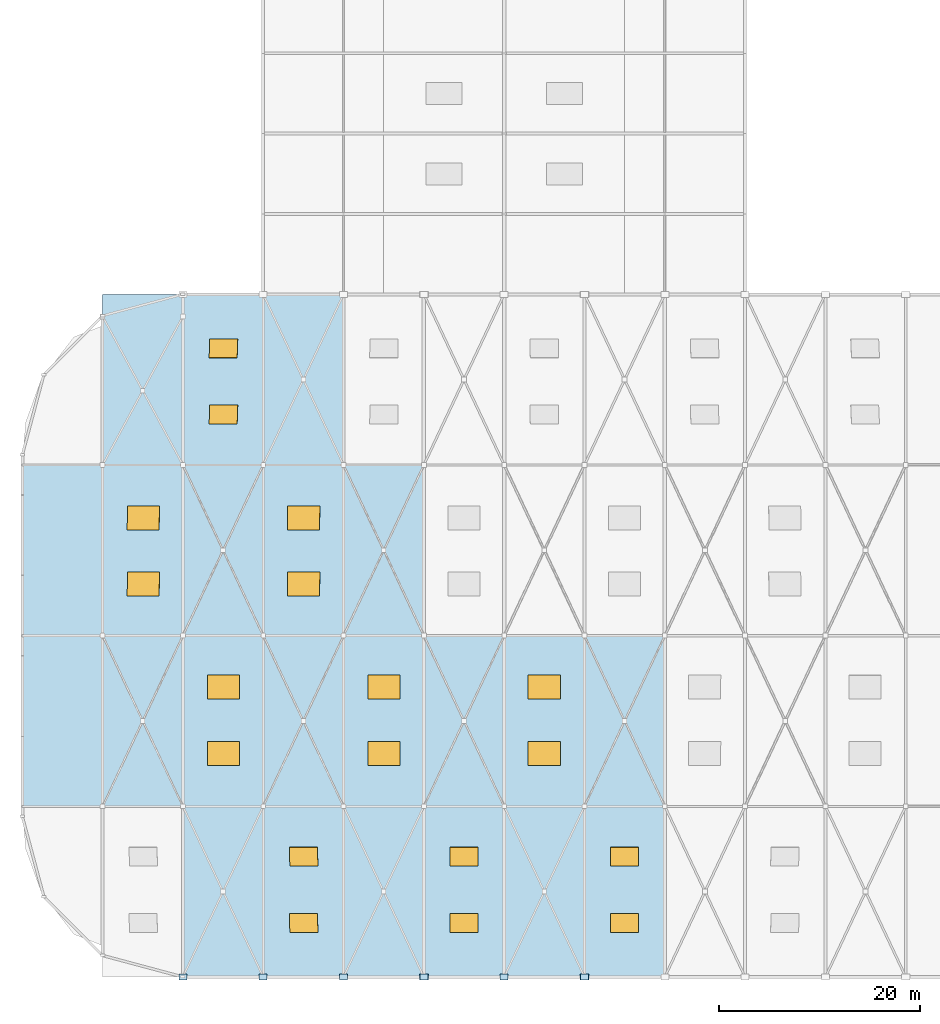
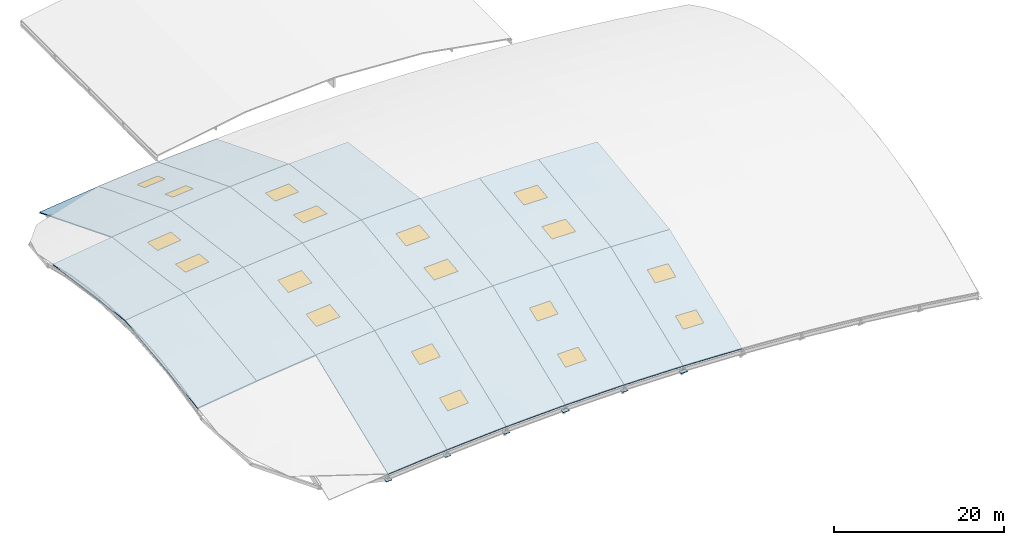
# One storey, part 5 of 11: 22 slabs, 18 windows, 8 plates, 18 openings.
"""IFC4 building model written with IfcOpenShell, lengths in metres."""

from ifc_helpers import new_model, si_unit, direction, frame, origin, origin_2d, place, context, subcontext, project, spatial, polyline, rectangle, outline, extrude, material, layer, layer_set, type_object, element, fill, save


model = new_model("IFC4")

# Units and contexts
model_context = context("Model", 3, precision=1e-05, world=origin(), true_north=direction((0.0, 1.0)))
body_context = subcontext(model_context, "Body", "Model", "MODEL_VIEW")
ifc_project = project(units=[si_unit("LENGTHUNIT", "METRE"), si_unit("AREAUNIT", "SQUARE_METRE"), si_unit("VOLUMEUNIT", "CUBIC_METRE"), si_unit("PLANEANGLEUNIT", "RADIAN"), si_unit("MASSUNIT", "GRAM", prefix="KILO")], contexts=[model_context])

# Site, building, storey
site_placement = place(None, origin())
site = spatial("IfcSite", under=ifc_project, at=site_placement, CompositionType="ELEMENT")
building_placement = place(site_placement, origin())
building = spatial("IfcBuilding", under=site, at=building_placement, Name="Drelvana Railside Aquatics Centre", CompositionType="ELEMENT")
storey_placement = place(building_placement, frame((0.0, 0.0, 22.800048828125)))
storey = spatial("IfcBuildingStorey", under=building, at=storey_placement, Name="Roof", CompositionType="ELEMENT", Elevation=22.800048828125)

# Slabs
ifc_material_1 = material(Name="Glulam timber GL28h", Category="wood")
ifc_layer_1 = layer(ifc_material_1, 0.14990234375, Name="Glulam timber GL28h")
ifc_layer_set_1 = layer_set([ifc_layer_1], Name="Glulam timber GL28h")
slab_type_1 = type_object("IfcSlabType", Name="SL-RF-150", PredefinedType="ROOF", material=ifc_layer_set_1)
slab_1_placement = place(storey_placement, frame((8.0, 67.0, 0.050048828125), z_axis=(-0.103981261976, 0.367032514903, 0.924378185681), x_axis=(0.993732663715, 0.0, 0.111782794142)))
element("IfcSlab", 1, at=slab_1_placement, inside=storey, type_object=slab_type_1, Name="Gridshell planar roof panel 2.4", PredefinedType="ROOF", context=body_context, shape_type="SweptSolid", body=[
    extrude(outline(polyline([(0.0, 0.0), (8.050454908158095, 5.551115123125783e-17), (7.295921047697992, 18.27548025780497), (-0.7545338604601017, 18.27548025780497), (0.0, 0.0)])), origin(), (0.0, 0.0, -1.0), 0.14990234375),
])
slab_2_placement = place(storey_placement, frame((16.0, 16.0, -5.800048828125), z_axis=(-0.081050715906, -0.367818821618, 0.926358513705), x_axis=(0.996194245461, 0.0, 0.087160916191)))
element("IfcSlab", 2, at=slab_2_placement, inside=storey, type_object=slab_type_1, Name="Gridshell planar roof panel 3.1", PredefinedType="ROOF", context=body_context, shape_type="SweptSolid", body=[
    extrude(outline(polyline([(0.0, 0.0), (8.030562349114113, 0.0), (8.618898533401065, 18.28158528504185), (0.5883361842869509, 18.28158528504185), (0.0, 0.0)])), origin(), (0.0, 0.0, -1.0), 0.14990234375),
])

# Slab, openings, windows
slab_3_placement = place(storey_placement, frame((16.0, 67.0, 0.949951171875), z_axis=(-0.081050715906, 0.367818821618, 0.926358513705), x_axis=(0.996194245461, 0.0, 0.087160916191)))
slab_3 = element("IfcSlab", 3, at=slab_3_placement, inside=storey, type_object=slab_type_1, Name="Gridshell planar roof panel 3.4", PredefinedType="ROOF", context=body_context, shape_type="SweptSolid", body=[
    extrude(outline(polyline([(0.0, 0.0), (8.030562349114113, 0.0), (7.442226164827163, 18.28158528504185), (-0.5883361842869509, 18.28158528504185), (0.0, 0.0)])), origin(), (0.0, 0.0, -1.0), 0.14990234375),
])
opening_1_placement = place(slab_3_placement, frame((3.879150390625, 5.40771484375, 0.010009765625)))
opening_1 = element("IfcOpeningElement", 4, at=opening_1_placement, cuts=slab_3, Name="Opening SK-03", PredefinedType="OPENING", context=body_context, shape_type="SweptSolid", body=[
    extrude(rectangle(XDim=2.800048828125, YDim=2.0, at=origin_2d()), origin(), (0.0, 0.0, -1.0), 0.169921875),
])
opening_2_placement = place(slab_3_placement, frame((3.650634765625, 12.50537109375, 0.010009765625)))
opening_2 = element("IfcOpeningElement", 5, at=opening_2_placement, cuts=slab_3, Name="Opening SK-03", PredefinedType="OPENING", context=body_context, shape_type="SweptSolid", body=[
    extrude(rectangle(XDim=2.800048828125, YDim=2.0, at=origin_2d()), origin(), (0.0, 0.0, -1.0), 0.169921875),
])
ifc_material_2 = material(Name="Laminated solar-control safety glass", Category="glass")
window_type_1 = type_object("IfcWindowType", Name="WIN-SK-03", PartitioningType="SINGLE_PANEL", PredefinedType="SKYLIGHT", material=ifc_material_2)
window_1_placement = place(slab_3_placement, frame((3.879150390625, 5.40771484375, 0.0)))
window_1 = element("IfcWindow", 6, at=window_1_placement, inside=storey, type_object=window_type_1, Name="Gridshell rooflight SK-GS-07", OverallHeight=2.0, OverallWidth=2.800048828125, PartitioningType="SINGLE_PANEL", PredefinedType="SKYLIGHT", context=body_context, shape_type="SweptSolid", body=[
    extrude(rectangle(XDim=2.800048828125, YDim=2.0, at=origin_2d()), origin(), (0.0, 0.0, -1.0), 0.06005859375),
])
fill(opening_1, window_1)
window_2_placement = place(slab_3_placement, frame((3.650634765625, 12.50537109375, 0.0)))
window_2 = element("IfcWindow", 7, at=window_2_placement, inside=storey, type_object=window_type_1, Name="Gridshell rooflight SK-GS-08", OverallHeight=2.0, OverallWidth=2.800048828125, PartitioningType="SINGLE_PANEL", PredefinedType="SKYLIGHT", context=body_context, shape_type="SweptSolid", body=[
    extrude(rectangle(XDim=2.800048828125, YDim=2.0, at=origin_2d()), origin(), (0.0, 0.0, -1.0), 0.06005859375),
])
fill(opening_2, window_2)

slab_4_placement = place(storey_placement, frame((24.0, 16.0, -5.10009765625), z_axis=(-0.057990763549, -0.368411909608, 0.92785221679), x_axis=(0.998052578483, 0.0, 0.062378286155)))
slab_4 = element("IfcSlab", 8, at=slab_4_placement, inside=storey, type_object=slab_type_1, Name="Gridshell planar roof panel 4.1", PredefinedType="ROOF", context=body_context, shape_type="SweptSolid", body=[
    extrude(outline(polyline([(0.0, 0.0), (8.0156097709407, 0.0), (8.436663202488168, 18.2862028318561), (0.42105343154746866, 18.2862028318561), (0.0, 0.0)])), origin(), (0.0, 0.0, -1.0), 0.14990234375),
])
opening_3_placement = place(slab_4_placement, frame((4.16796875, 5.7783203125, 0.010009765625)))
opening_3 = element("IfcOpeningElement", 9, at=opening_3_placement, cuts=slab_4, Name="Opening SK-03", PredefinedType="OPENING", context=body_context, shape_type="SweptSolid", body=[
    extrude(rectangle(XDim=2.800048828125, YDim=2.0, at=origin_2d()), origin(), (0.0, 0.0, -1.0), 0.169921875),
])
opening_4_placement = place(slab_4_placement, frame((4.33154296875, 12.877685546875, 0.010009765625)))
opening_4 = element("IfcOpeningElement", 10, at=opening_4_placement, cuts=slab_4, Name="Opening SK-03", PredefinedType="OPENING", context=body_context, shape_type="SweptSolid", body=[
    extrude(rectangle(XDim=2.800048828125, YDim=2.0, at=origin_2d()), origin(), (0.0, 0.0, -1.0), 0.169921875),
])
window_3_placement = place(slab_4_placement, frame((4.16796875, 5.7783203125, 0.0)))
window_3 = element("IfcWindow", 11, at=window_3_placement, inside=storey, type_object=window_type_1, Name="Gridshell rooflight SK-GS-09", OverallHeight=2.0, OverallWidth=2.800048828125, PartitioningType="SINGLE_PANEL", PredefinedType="SKYLIGHT", context=body_context, shape_type="SweptSolid", body=[
    extrude(rectangle(XDim=2.800048828125, YDim=2.0, at=origin_2d()), origin(), (0.0, 0.0, -1.0), 0.06005859375),
])
fill(opening_3, window_3)
window_4_placement = place(slab_4_placement, frame((4.33154296875, 12.877685546875, 0.0)))
window_4 = element("IfcWindow", 12, at=window_4_placement, inside=storey, type_object=window_type_1, Name="Gridshell rooflight SK-GS-10", OverallHeight=2.0, OverallWidth=2.800048828125, PartitioningType="SINGLE_PANEL", PredefinedType="SKYLIGHT", context=body_context, shape_type="SweptSolid", body=[
    extrude(rectangle(XDim=2.800048828125, YDim=2.0, at=origin_2d()), origin(), (0.0, 0.0, -1.0), 0.06005859375),
])
fill(opening_4, window_4)

# Slabs
slab_5_placement = place(storey_placement, frame((24.0, 67.0, 1.64990234375), z_axis=(-0.057990763549, 0.368411909608, 0.92785221679), x_axis=(0.998052578483, 0.0, 0.062378286155)))
element("IfcSlab", 13, at=slab_5_placement, inside=storey, type_object=slab_type_1, Name="Gridshell planar roof panel 4.4", PredefinedType="ROOF", context=body_context, shape_type="SweptSolid", body=[
    extrude(outline(polyline([(0.0, 0.0), (8.0156097709407, 0.0), (7.594556339393231, 18.286202831856105), (-0.42105343154746866, 18.2862028318561), (0.0, 0.0)])), origin(), (0.0, 0.0, -1.0), 0.14990234375),
])
slab_6_placement = place(storey_placement, frame((32.0, 16.0, -4.60009765625), z_axis=(-0.034837624674, -0.368808939643, 0.928852144287), x_axis=(0.999297387291, 0.0, 0.037479751251)))
element("IfcSlab", 14, at=slab_6_placement, inside=storey, type_object=slab_type_1, Name="Gridshell planar roof panel 5.1", PredefinedType="ROOF", context=body_context, shape_type="SweptSolid", body=[
    extrude(outline(polyline([(0.0, 0.0), (8.005624853767456, 0.0), (8.258613174709152, 18.289300066144335), (0.2529883209416974, 18.289300066144335), (0.0, 0.0)])), origin(), (0.0, 0.0, -1.0), 0.14990234375),
])

# Slab, openings, windows
slab_7_placement = place(storey_placement, frame((40.0, 16.0, -4.300048828125), z_axis=(-0.011628263083, -0.369007997397, 0.929353474925), x_axis=(0.999921731527, 0.0, 0.01251122772)))
slab_7 = element("IfcSlab", 15, at=slab_7_placement, inside=storey, type_object=slab_type_1, Name="Gridshell planar roof panel 6.1", PredefinedType="ROOF", context=body_context, shape_type="SweptSolid", body=[
    extrude(outline(polyline([(0.0, 0.0), (8.00062619679152, 0.0), (8.085076983900967, 18.29085476582646), (0.08445078710944635, 18.29085476582646), (0.0, 0.0)])), origin(), (0.0, 0.0, -1.0), 0.14990234375),
])
opening_5_placement = place(slab_7_placement, frame((4.032470703125, 5.7802734375, 0.010009765625)))
opening_5 = element("IfcOpeningElement", 16, at=opening_5_placement, cuts=slab_7, Name="Opening SK-03", PredefinedType="OPENING", context=body_context, shape_type="SweptSolid", body=[
    extrude(rectangle(XDim=2.800048828125, YDim=2.0, at=origin_2d()), origin(), (0.0, 0.0, -1.0), 0.169921875),
])
opening_6_placement = place(slab_7_placement, frame((4.065185546875, 12.881591796875, 0.010009765625)))
opening_6 = element("IfcOpeningElement", 17, at=opening_6_placement, cuts=slab_7, Name="Opening SK-03", PredefinedType="OPENING", context=body_context, shape_type="SweptSolid", body=[
    extrude(rectangle(XDim=2.800048828125, YDim=2.0, at=origin_2d()), origin(), (0.0, 0.0, -1.0), 0.169921875),
])
window_5_placement = place(slab_7_placement, frame((4.032470703125, 5.7802734375, 0.0)))
window_5 = element("IfcWindow", 18, at=window_5_placement, inside=storey, type_object=window_type_1, Name="Gridshell rooflight SK-GS-17", OverallHeight=2.0, OverallWidth=2.800048828125, PartitioningType="SINGLE_PANEL", PredefinedType="SKYLIGHT", context=body_context, shape_type="SweptSolid", body=[
    extrude(rectangle(XDim=2.800048828125, YDim=2.0, at=origin_2d()), origin(), (0.0, 0.0, -1.0), 0.06005859375),
])
fill(opening_5, window_5)
window_6_placement = place(slab_7_placement, frame((4.065185546875, 12.881591796875, 0.0)))
window_6 = element("IfcWindow", 19, at=window_6_placement, inside=storey, type_object=window_type_1, Name="Gridshell rooflight SK-GS-18", OverallHeight=2.0, OverallWidth=2.800048828125, PartitioningType="SINGLE_PANEL", PredefinedType="SKYLIGHT", context=body_context, shape_type="SweptSolid", body=[
    extrude(rectangle(XDim=2.800048828125, YDim=2.0, at=origin_2d()), origin(), (0.0, 0.0, -1.0), 0.06005859375),
])
fill(opening_6, window_6)

# Slab
slab_8_placement = place(storey_placement, frame((48.0, 16.0, -4.199951171875), z_axis=(0.011628263083, -0.369007997397, 0.929353474925), x_axis=(0.999921731527, 0.0, -0.01251122772)))
element("IfcSlab", 20, at=slab_8_placement, inside=storey, type_object=slab_type_1, Name="Gridshell planar roof panel 7.1", PredefinedType="ROOF", context=body_context, shape_type="SweptSolid", body=[
    extrude(outline(polyline([(0.0, 0.0), (8.00062619679152, 0.0), (7.916175409682074, 18.29085476582646), (-0.08445078710944635, 18.29085476582646), (0.0, 0.0)])), origin(), (0.0, 0.0, -1.0), 0.14990234375),
])

# Slab, openings, windows
slab_9_placement = place(storey_placement, frame((56.0, 16.0, -4.300048828125), z_axis=(0.034837624674, -0.368808939643, 0.928852144287), x_axis=(0.999297387291, 0.0, -0.037479751251)))
slab_9 = element("IfcSlab", 21, at=slab_9_placement, inside=storey, type_object=slab_type_1, Name="Gridshell planar roof panel 8.1", PredefinedType="ROOF", context=body_context, shape_type="SweptSolid", body=[
    extrude(outline(polyline([(0.0, 0.0), (8.005624853767456, 0.0), (7.752636532825758, 18.289300066144335), (-0.2529883209416974, 18.289300066144335), (0.0, 0.0)])), origin(), (0.0, 0.0, -1.0), 0.14990234375),
])
opening_7_placement = place(slab_9_placement, frame((3.906494140625, 5.779541015625, 0.010009765625)))
opening_7 = element("IfcOpeningElement", 22, at=opening_7_placement, cuts=slab_9, Name="Opening SK-03", PredefinedType="OPENING", context=body_context, shape_type="SweptSolid", body=[
    extrude(rectangle(XDim=2.800048828125, YDim=2.0, at=origin_2d()), origin(), (0.0, 0.0, -1.0), 0.169921875),
])
opening_8_placement = place(slab_9_placement, frame((3.808349609375, 12.88037109375, 0.010009765625)))
opening_8 = element("IfcOpeningElement", 23, at=opening_8_placement, cuts=slab_9, Name="Opening SK-03", PredefinedType="OPENING", context=body_context, shape_type="SweptSolid", body=[
    extrude(rectangle(XDim=2.800048828125, YDim=2.0, at=origin_2d()), origin(), (0.0, 0.0, -1.0), 0.169921875),
])
window_7_placement = place(slab_9_placement, frame((3.906494140625, 5.779541015625, 0.0)))
window_7 = element("IfcWindow", 24, at=window_7_placement, inside=storey, type_object=window_type_1, Name="Gridshell rooflight SK-GS-25", OverallHeight=2.0, OverallWidth=2.800048828125, PartitioningType="SINGLE_PANEL", PredefinedType="SKYLIGHT", context=body_context, shape_type="SweptSolid", body=[
    extrude(rectangle(XDim=2.800048828125, YDim=2.0, at=origin_2d()), origin(), (0.0, 0.0, -1.0), 0.06005859375),
])
fill(opening_7, window_7)
window_8_placement = place(slab_9_placement, frame((3.808349609375, 12.88037109375, 0.0)))
window_8 = element("IfcWindow", 25, at=window_8_placement, inside=storey, type_object=window_type_1, Name="Gridshell rooflight SK-GS-26", OverallHeight=2.0, OverallWidth=2.800048828125, PartitioningType="SINGLE_PANEL", PredefinedType="SKYLIGHT", context=body_context, shape_type="SweptSolid", body=[
    extrude(rectangle(XDim=2.800048828125, YDim=2.0, at=origin_2d()), origin(), (0.0, 0.0, -1.0), 0.06005859375),
])
fill(opening_8, window_8)

# Slabs
ifc_layer_2 = layer(ifc_material_1, 0.175048828125, Name="Glulam timber GL28h")
ifc_layer_set_2 = layer_set([ifc_layer_2], Name="Glulam timber GL28h")
slab_type_2 = type_object("IfcSlabType", Name="SL-RF-175", PredefinedType="ROOF", material=ifc_layer_set_2)
slab_10_placement = place(storey_placement, frame((0.0, 33.0, -1.050048828125), z_axis=(-0.135074047134, -0.130006257632, 0.982269502106), x_axis=(0.99067720781, 0.0, 0.136230209301)))
element("IfcSlab", 26, at=slab_10_placement, inside=storey, type_object=slab_type_2, Name="Gridshell planar roof panel 1.2", PredefinedType="ROOF", context=body_context, shape_type="SweptSolid", body=[
    extrude(outline(polyline([(0.0, 0.0), (8.075284196440814, -2.7755575615628914e-17), (8.381802167369125, 17.145510979072572), (0.3065179709283118, 17.145510979072572), (0.0, 0.0)])), origin(), (0.0, 0.0, -1.0), 0.175048828125),
])
slab_11_placement = place(storey_placement, frame((0.0, 50.0, 1.199951171875), z_axis=(-0.135074047134, 0.130006257632, 0.982269502106), x_axis=(0.99067720781, 0.0, 0.136230209301)))
element("IfcSlab", 27, at=slab_11_placement, inside=storey, type_object=slab_type_2, Name="Gridshell planar roof panel 1.3", PredefinedType="ROOF", context=body_context, shape_type="SweptSolid", body=[
    extrude(outline(polyline([(0.0, 0.0), (8.075284196440814, 2.7755575615628914e-17), (7.768766225512501, 17.14551097907257), (-0.3065179709283118, 17.145510979072572), (0.0, 0.0)])), origin(), (0.0, 0.0, -1.0), 0.175048828125),
])
slab_12_placement = place(storey_placement, frame((8.0, 33.0, 0.050048828125), z_axis=(-0.110828326914, -0.130400416309, 0.985247589888), x_axis=(0.993732663715, 0.0, 0.111782794142)))
element("IfcSlab", 28, at=slab_12_placement, inside=storey, type_object=slab_type_2, Name="Gridshell planar roof panel 2.2", PredefinedType="ROOF", context=body_context, shape_type="SweptSolid", body=[
    extrude(outline(polyline([(0.0, 0.0), (8.050454908158095, -1.3877787807814457e-17), (8.301966194978128, 17.146406097856257), (0.2515112868200339, 17.146406097856257), (0.0, 0.0)])), origin(), (0.0, 0.0, -1.0), 0.175048828125),
])

# Slab, openings, windows
slab_13_placement = place(storey_placement, frame((8.0, 50.0, 2.300048828125), z_axis=(-0.110828326914, 0.130400416309, 0.985247589888), x_axis=(0.993732663715, 0.0, 0.111782794142)))
slab_13 = element("IfcSlab", 29, at=slab_13_placement, inside=storey, type_object=slab_type_2, Name="Gridshell planar roof panel 2.3", PredefinedType="ROOF", context=body_context, shape_type="SweptSolid", body=[
    extrude(outline(polyline([(0.0, 0.0), (8.050454908158095, 1.3877787807814457e-17), (7.7989436213380605, 17.146406097856254), (-0.2515112868200339, 17.146406097856257), (0.0, 0.0)])), origin(), (0.0, 0.0, -1.0), 0.175048828125),
])
opening_9_placement = place(slab_13_placement, frame((4.00439453125, 5.1796875, 0.010009765625)))
opening_9 = element("IfcOpeningElement", 30, at=opening_9_placement, cuts=slab_13, Name="Opening SK-02", PredefinedType="OPENING", context=body_context, shape_type="SweptSolid", body=[
    extrude(rectangle(XDim=3.199951171875, YDim=2.39990234375, at=origin_2d()), origin(), (0.0, 0.0, -1.0), 0.195068359375),
])
opening_10_placement = place(slab_13_placement, frame((3.90673828125, 11.83642578125, 0.010009765625)))
opening_10 = element("IfcOpeningElement", 31, at=opening_10_placement, cuts=slab_13, Name="Opening SK-02", PredefinedType="OPENING", context=body_context, shape_type="SweptSolid", body=[
    extrude(rectangle(XDim=3.199951171875, YDim=2.39990234375, at=origin_2d()), origin(), (0.0, 0.0, -1.0), 0.195068359375),
])
window_type_2 = type_object("IfcWindowType", Name="WIN-SK-02", PartitioningType="SINGLE_PANEL", PredefinedType="SKYLIGHT", material=ifc_material_2)
window_9_placement = place(slab_13_placement, frame((4.00439453125, 5.1796875, 0.0)))
window_9 = element("IfcWindow", 32, at=window_9_placement, inside=storey, type_object=window_type_2, Name="Gridshell rooflight SK-GS-03", OverallHeight=2.39990234375, OverallWidth=3.199951171875, PartitioningType="SINGLE_PANEL", PredefinedType="SKYLIGHT", context=body_context, shape_type="SweptSolid", body=[
    extrude(rectangle(XDim=3.199951171875, YDim=2.39990234375, at=origin_2d()), origin(), (0.0, 0.0, -1.0), 0.06005859375),
])
fill(opening_9, window_9)
window_10_placement = place(slab_13_placement, frame((3.90673828125, 11.83642578125, 0.0)))
window_10 = element("IfcWindow", 33, at=window_10_placement, inside=storey, type_object=window_type_2, Name="Gridshell rooflight SK-GS-04", OverallHeight=2.39990234375, OverallWidth=3.199951171875, PartitioningType="SINGLE_PANEL", PredefinedType="SKYLIGHT", context=body_context, shape_type="SweptSolid", body=[
    extrude(rectangle(XDim=3.199951171875, YDim=2.39990234375, at=origin_2d()), origin(), (0.0, 0.0, -1.0), 0.06005859375),
])
fill(opening_10, window_10)

slab_14_placement = place(storey_placement, frame((16.0, 33.0, 0.949951171875), z_axis=(-0.086413040767, -0.130717919318, 0.987646501515), x_axis=(0.996194245461, 0.0, 0.087160916191)))
slab_14 = element("IfcSlab", 34, at=slab_14_placement, inside=storey, type_object=slab_type_2, Name="Gridshell planar roof panel 3.2", PredefinedType="ROOF", context=body_context, shape_type="SweptSolid", body=[
    extrude(outline(polyline([(0.0, 0.0), (8.030562349114113, 0.0), (8.226674410543097, 17.14712920751932), (0.19611206142898363, 17.14712920751932), (0.0, 0.0)])), origin(), (0.0, 0.0, -1.0), 0.175048828125),
])
opening_11_placement = place(slab_14_placement, frame((4.119140625, 5.310302734375, 0.010009765625)))
opening_11 = element("IfcOpeningElement", 35, at=opening_11_placement, cuts=slab_14, Name="Opening SK-02", PredefinedType="OPENING", context=body_context, shape_type="SweptSolid", body=[
    extrude(rectangle(XDim=3.199951171875, YDim=2.39990234375, at=origin_2d()), origin(), (0.0, 0.0, -1.0), 0.195068359375),
])
opening_12_placement = place(slab_14_placement, frame((4.1953125, 11.967529296875, 0.010009765625)))
opening_12 = element("IfcOpeningElement", 36, at=opening_12_placement, cuts=slab_14, Name="Opening SK-02", PredefinedType="OPENING", context=body_context, shape_type="SweptSolid", body=[
    extrude(rectangle(XDim=3.199951171875, YDim=2.39990234375, at=origin_2d()), origin(), (0.0, 0.0, -1.0), 0.195068359375),
])
window_11_placement = place(slab_14_placement, frame((4.119140625, 5.310302734375, 0.0)))
window_11 = element("IfcWindow", 37, at=window_11_placement, inside=storey, type_object=window_type_2, Name="Gridshell rooflight SK-GS-05", OverallHeight=2.39990234375, OverallWidth=3.199951171875, PartitioningType="SINGLE_PANEL", PredefinedType="SKYLIGHT", context=body_context, shape_type="SweptSolid", body=[
    extrude(rectangle(XDim=3.199951171875, YDim=2.39990234375, at=origin_2d()), origin(), (0.0, 0.0, -1.0), 0.06005859375),
])
fill(opening_11, window_11)
window_12_placement = place(slab_14_placement, frame((4.1953125, 11.967529296875, 0.0)))
window_12 = element("IfcWindow", 38, at=window_12_placement, inside=storey, type_object=window_type_2, Name="Gridshell rooflight SK-GS-06", OverallHeight=2.39990234375, OverallWidth=3.199951171875, PartitioningType="SINGLE_PANEL", PredefinedType="SKYLIGHT", context=body_context, shape_type="SweptSolid", body=[
    extrude(rectangle(XDim=3.199951171875, YDim=2.39990234375, at=origin_2d()), origin(), (0.0, 0.0, -1.0), 0.06005859375),
])
fill(opening_12, window_12)

# Slabs
slab_15_placement = place(storey_placement, frame((16.0, 50.0, 3.199951171875), z_axis=(-0.086413040767, 0.130717919318, 0.987646501515), x_axis=(0.996194245461, 0.0, 0.087160916191)))
element("IfcSlab", 39, at=slab_15_placement, inside=storey, type_object=slab_type_2, Name="Gridshell planar roof panel 3.3", PredefinedType="ROOF", context=body_context, shape_type="SweptSolid", body=[
    extrude(outline(polyline([(0.0, 0.0), (8.030562349114113, 0.0), (7.83445028768513, 17.14712920751932), (-0.19611206142898363, 17.14712920751932), (0.0, 0.0)])), origin(), (0.0, 0.0, -1.0), 0.175048828125),
])
slab_16_placement = place(storey_placement, frame((24.0, 33.0, 1.64990234375), z_axis=(-0.061841082592, -0.130957586664, 0.989457321464), x_axis=(0.998052578483, 0.0, 0.062378286155)))
element("IfcSlab", 40, at=slab_16_placement, inside=storey, type_object=slab_type_2, Name="Gridshell planar roof panel 4.2", PredefinedType="ROOF", context=body_context, shape_type="SweptSolid", body=[
    extrude(outline(polyline([(0.0, 0.0), (8.0156097709407, 0.0), (8.155960914789855, 17.147676272790438), (0.1403511438491562, 17.147676272790438), (0.0, 0.0)])), origin(), (0.0, 0.0, -1.0), 0.175048828125),
])

# Slab, openings, windows
slab_17_placement = place(storey_placement, frame((24.0, 50.0, 3.89990234375), z_axis=(-0.061841082592, 0.130957586664, 0.989457321464), x_axis=(0.998052578483, 0.0, 0.062378286155)))
slab_17 = element("IfcSlab", 41, at=slab_17_placement, inside=storey, type_object=slab_type_2, Name="Gridshell planar roof panel 4.3", PredefinedType="ROOF", context=body_context, shape_type="SweptSolid", body=[
    extrude(outline(polyline([(0.0, 0.0), (8.0156097709407, 0.0), (7.875258627091543, 17.147676272790438), (-0.1403511438491562, 17.147676272790438), (0.0, 0.0)])), origin(), (0.0, 0.0, -1.0), 0.175048828125),
])
opening_13_placement = place(slab_17_placement, frame((3.996337890625, 5.179443359375, 0.010009765625)))
opening_13 = element("IfcOpeningElement", 42, at=opening_13_placement, cuts=slab_17, Name="Opening SK-02", PredefinedType="OPENING", context=body_context, shape_type="SweptSolid", body=[
    extrude(rectangle(XDim=3.199951171875, YDim=2.39990234375, at=origin_2d()), origin(), (0.0, 0.0, -1.0), 0.195068359375),
])
opening_14_placement = place(slab_17_placement, frame((3.941650390625, 11.8369140625, 0.010009765625)))
opening_14 = element("IfcOpeningElement", 43, at=opening_14_placement, cuts=slab_17, Name="Opening SK-02", PredefinedType="OPENING", context=body_context, shape_type="SweptSolid", body=[
    extrude(rectangle(XDim=3.199951171875, YDim=2.39990234375, at=origin_2d()), origin(), (0.0, 0.0, -1.0), 0.195068359375),
])
window_13_placement = place(slab_17_placement, frame((3.996337890625, 5.179443359375, 0.0)))
window_13 = element("IfcWindow", 44, at=window_13_placement, inside=storey, type_object=window_type_2, Name="Gridshell rooflight SK-GS-11", OverallHeight=2.39990234375, OverallWidth=3.199951171875, PartitioningType="SINGLE_PANEL", PredefinedType="SKYLIGHT", context=body_context, shape_type="SweptSolid", body=[
    extrude(rectangle(XDim=3.199951171875, YDim=2.39990234375, at=origin_2d()), origin(), (0.0, 0.0, -1.0), 0.06005859375),
])
fill(opening_13, window_13)
window_14_placement = place(slab_17_placement, frame((3.941650390625, 11.8369140625, 0.0)))
window_14 = element("IfcWindow", 45, at=window_14_placement, inside=storey, type_object=window_type_2, Name="Gridshell rooflight SK-GS-12", OverallHeight=2.39990234375, OverallWidth=3.199951171875, PartitioningType="SINGLE_PANEL", PredefinedType="SKYLIGHT", context=body_context, shape_type="SweptSolid", body=[
    extrude(rectangle(XDim=3.199951171875, YDim=2.39990234375, at=origin_2d()), origin(), (0.0, 0.0, -1.0), 0.06005859375),
])
fill(opening_14, window_14)

slab_18_placement = place(storey_placement, frame((32.0, 33.0, 2.14990234375), z_axis=(-0.037156179316, -0.13111811557, 0.990670206531), x_axis=(0.999297387291, 0.0, 0.037479751251)))
slab_18 = element("IfcSlab", 46, at=slab_18_placement, inside=storey, type_object=slab_type_2, Name="Gridshell planar roof panel 5.2", PredefinedType="ROOF", context=body_context, shape_type="SweptSolid", body=[
    extrude(outline(polyline([(0.0, 0.0), (8.005624853767456, 0.0), (8.089954294081354, 17.14804328620313), (0.08432944031389913, 17.148043286203134), (0.0, 0.0)])), origin(), (0.0, 0.0, -1.0), 0.175048828125),
])
opening_15_placement = place(slab_18_placement, frame((4.04736328125, 5.31103515625, 0.010009765625)))
opening_15 = element("IfcOpeningElement", 47, at=opening_15_placement, cuts=slab_18, Name="Opening SK-02", PredefinedType="OPENING", context=body_context, shape_type="SweptSolid", body=[
    extrude(rectangle(XDim=3.199951171875, YDim=2.39990234375, at=origin_2d()), origin(), (0.0, 0.0, -1.0), 0.195068359375),
])
opening_16_placement = place(slab_18_placement, frame((4.080078125, 11.96875, 0.010009765625)))
opening_16 = element("IfcOpeningElement", 48, at=opening_16_placement, cuts=slab_18, Name="Opening SK-02", PredefinedType="OPENING", context=body_context, shape_type="SweptSolid", body=[
    extrude(rectangle(XDim=3.199951171875, YDim=2.39990234375, at=origin_2d()), origin(), (0.0, 0.0, -1.0), 0.195068359375),
])
window_15_placement = place(slab_18_placement, frame((4.04736328125, 5.31103515625, 0.0)))
window_15 = element("IfcWindow", 49, at=window_15_placement, inside=storey, type_object=window_type_2, Name="Gridshell rooflight SK-GS-13", OverallHeight=2.39990234375, OverallWidth=3.199951171875, PartitioningType="SINGLE_PANEL", PredefinedType="SKYLIGHT", context=body_context, shape_type="SweptSolid", body=[
    extrude(rectangle(XDim=3.199951171875, YDim=2.39990234375, at=origin_2d()), origin(), (0.0, 0.0, -1.0), 0.06005859375),
])
fill(opening_15, window_15)
window_16_placement = place(slab_18_placement, frame((4.080078125, 11.96875, 0.0)))
window_16 = element("IfcWindow", 50, at=window_16_placement, inside=storey, type_object=window_type_2, Name="Gridshell rooflight SK-GS-14", OverallHeight=2.39990234375, OverallWidth=3.199951171875, PartitioningType="SINGLE_PANEL", PredefinedType="SKYLIGHT", context=body_context, shape_type="SweptSolid", body=[
    extrude(rectangle(XDim=3.199951171875, YDim=2.39990234375, at=origin_2d()), origin(), (0.0, 0.0, -1.0), 0.06005859375),
])
fill(opening_16, window_16)

# Slabs
slab_19_placement = place(storey_placement, frame((32.0, 50.0, 4.39990234375), z_axis=(-0.037156179316, 0.13111811557, 0.990670206531), x_axis=(0.999297387291, 0.0, 0.037479751251)))
element("IfcSlab", 51, at=slab_19_placement, inside=storey, type_object=slab_type_2, Name="Gridshell planar roof panel 5.3", PredefinedType="ROOF", context=body_context, shape_type="SweptSolid", body=[
    extrude(outline(polyline([(0.0, 0.0), (8.005624853767456, 0.0), (7.9212954134535565, 17.148043286203134), (-0.08432944031389913, 17.148043286203134), (0.0, 0.0)])), origin(), (0.0, 0.0, -1.0), 0.175048828125),
])
slab_20_placement = place(storey_placement, frame((40.0, 33.0, 2.449951171875), z_axis=(-0.01240308194, -0.131198626299, 0.991278509812), x_axis=(0.999921731527, 0.0, 0.01251122772)))
element("IfcSlab", 52, at=slab_20_placement, inside=storey, type_object=slab_type_2, Name="Gridshell planar roof panel 6.2", PredefinedType="ROOF", context=body_context, shape_type="SweptSolid", body=[
    extrude(outline(polyline([(0.0, 0.0), (8.00062619679152, 0.0), (8.028776459161335, 17.148227534142663), (0.028150262369815448, 17.148227534142663), (0.0, 0.0)])), origin(), (0.0, 0.0, -1.0), 0.175048828125),
])

# Slab, openings, windows
slab_21_placement = place(storey_placement, frame((48.0, 33.0, 2.550048828125), z_axis=(0.01240308194, -0.131198626299, 0.991278509812), x_axis=(0.999921731527, 0.0, -0.01251122772)))
slab_21 = element("IfcSlab", 53, at=slab_21_placement, inside=storey, type_object=slab_type_2, Name="Gridshell planar roof panel 7.2", PredefinedType="ROOF", context=body_context, shape_type="SweptSolid", body=[
    extrude(outline(polyline([(0.0, 0.0), (8.00062619679152, 0.0), (7.972475934421705, 17.148227534142663), (-0.028150262369815448, 17.148227534142663), (0.0, 0.0)])), origin(), (0.0, 0.0, -1.0), 0.175048828125),
])
opening_17_placement = place(slab_21_placement, frame((3.9853515625, 5.311279296875, 0.010009765625)))
opening_17 = element("IfcOpeningElement", 54, at=opening_17_placement, cuts=slab_21, Name="Opening SK-02", PredefinedType="OPENING", context=body_context, shape_type="SweptSolid", body=[
    extrude(rectangle(XDim=3.199951171875, YDim=2.39990234375, at=origin_2d()), origin(), (0.0, 0.0, -1.0), 0.195068359375),
])
opening_18_placement = place(slab_21_placement, frame((3.974365234375, 11.968994140625, 0.010009765625)))
opening_18 = element("IfcOpeningElement", 55, at=opening_18_placement, cuts=slab_21, Name="Opening SK-02", PredefinedType="OPENING", context=body_context, shape_type="SweptSolid", body=[
    extrude(rectangle(XDim=3.199951171875, YDim=2.39990234375, at=origin_2d()), origin(), (0.0, 0.0, -1.0), 0.195068359375),
])
window_17_placement = place(slab_21_placement, frame((3.9853515625, 5.311279296875, 0.0)))
window_17 = element("IfcWindow", 56, at=window_17_placement, inside=storey, type_object=window_type_2, Name="Gridshell rooflight SK-GS-21", OverallHeight=2.39990234375, OverallWidth=3.199951171875, PartitioningType="SINGLE_PANEL", PredefinedType="SKYLIGHT", context=body_context, shape_type="SweptSolid", body=[
    extrude(rectangle(XDim=3.199951171875, YDim=2.39990234375, at=origin_2d()), origin(), (0.0, 0.0, -1.0), 0.06005859375),
])
fill(opening_17, window_17)
window_18_placement = place(slab_21_placement, frame((3.974365234375, 11.968994140625, 0.0)))
window_18 = element("IfcWindow", 57, at=window_18_placement, inside=storey, type_object=window_type_2, Name="Gridshell rooflight SK-GS-22", OverallHeight=2.39990234375, OverallWidth=3.199951171875, PartitioningType="SINGLE_PANEL", PredefinedType="SKYLIGHT", context=body_context, shape_type="SweptSolid", body=[
    extrude(rectangle(XDim=3.199951171875, YDim=2.39990234375, at=origin_2d()), origin(), (0.0, 0.0, -1.0), 0.06005859375),
])
fill(opening_18, window_18)

# Slab
slab_22_placement = place(storey_placement, frame((56.0, 33.0, 2.449951171875), z_axis=(0.037156179316, -0.13111811557, 0.990670206531), x_axis=(0.999297387291, 0.0, -0.037479751251)))
element("IfcSlab", 58, at=slab_22_placement, inside=storey, type_object=slab_type_2, Name="Gridshell planar roof panel 8.2", PredefinedType="ROOF", context=body_context, shape_type="SweptSolid", body=[
    extrude(outline(polyline([(0.0, 0.0), (8.005624853767456, 0.0), (7.9212954134535565, 17.148043286203134), (-0.08432944031389913, 17.148043286203134), (0.0, 0.0)])), origin(), (0.0, 0.0, -1.0), 0.175048828125),
])

# Plates
ifc_material_3 = material(Name="Structural steel S355", Category="steel")
ifc_layer_3 = layer(ifc_material_3, 0.044921875, Name="Structural steel S355")
ifc_layer_set_3 = layer_set([ifc_layer_3], Name="Structural steel S355")
plate_type_1 = type_object("IfcPlateType", Name="STR-PLT-PL-02", PredefinedType="SHEET", material=ifc_layer_set_3)
for number, where, z_axis, x_axis, name in (
    (59, (16.0, 16.0, -6.62939453125), (0.0, 0.0, 1.0), (1.0, 0.0, 0.0), "Gridshell springing base plate PL-02 #1"),
    (60, (24.0, 16.0, -5.929443359375), (0.0, 0.0, 1.0), (1.0, 0.0, 0.0), "Gridshell springing base plate PL-02 #3"),
    (61, (32.0, 16.0, -5.429443359375), (0.0, 0.0, 1.0), (1.0, 0.0, 0.0), "Gridshell springing base plate PL-02 #5"),
    (62, (40.0, 16.0, -5.12939453125), (0.0, 0.0, 1.0), (1.0, 0.0, 0.0), "Gridshell springing base plate PL-02 #7"),
    (63, (48.0, 16.0, -5.029541015625), (0.0, 0.0, 1.0), (1.0, 0.0, 0.0), "Gridshell springing base plate PL-02 #9"),
    (64, (56.0, 16.0, -5.12939453125), (0.0, 0.0, 1.0), (1.0, 0.0, 0.0), "Gridshell springing base plate PL-02 #11"),
):
    element("IfcPlate", number, at=place(storey_placement, frame(where, z_axis=z_axis, x_axis=x_axis)), inside=storey, type_object=plate_type_1, Name=name, PredefinedType="SHEET", context=body_context, shape_type="SweptSolid", body=[
        extrude(rectangle(XDim=0.800048828125, YDim=0.60009765625, at=origin_2d()), origin(), (0.0, 0.0, 1.0), 0.044921875),
    ])
ifc_layer_4 = layer(ifc_material_3, 0.054931640625, Name="Structural steel S355")
ifc_layer_set_4 = layer_set([ifc_layer_4], Name="Structural steel S355")
plate_type_2 = type_object("IfcPlateType", Name="STR-PLT-PL-03", PredefinedType="SHEET", material=ifc_layer_set_4)
for number, where, z_axis, x_axis, name in (
    (65, (40.0, 16.0, -5.0947265625), (0.0, 0.0, 1.0), (1.0, 0.0, 0.0), "Gridshell heavy bearing plate PL-03 #7"),
    (66, (56.0, 16.0, -5.0947265625), (0.0, 0.0, 1.0), (1.0, 0.0, 0.0), "Gridshell heavy bearing plate PL-03 #11"),
):
    element("IfcPlate", number, at=place(storey_placement, frame(where, z_axis=z_axis, x_axis=x_axis)), inside=storey, type_object=plate_type_2, Name=name, PredefinedType="SHEET", context=body_context, shape_type="SweptSolid", body=[
        extrude(rectangle(XDim=0.89990234375, YDim=0.60009765625, at=origin_2d()), origin(), (0.0, 0.0, 1.0), 0.054931640625),
    ])

save(model, "model.ifc")
